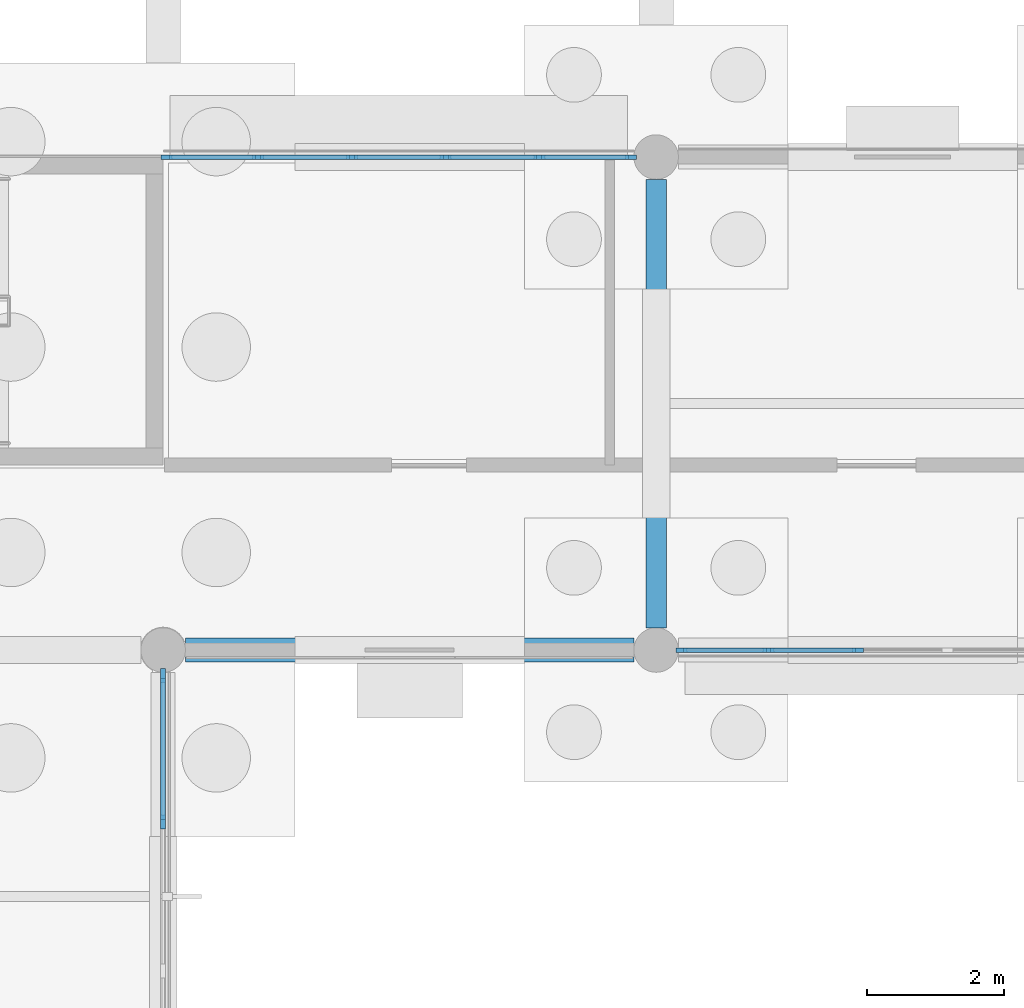
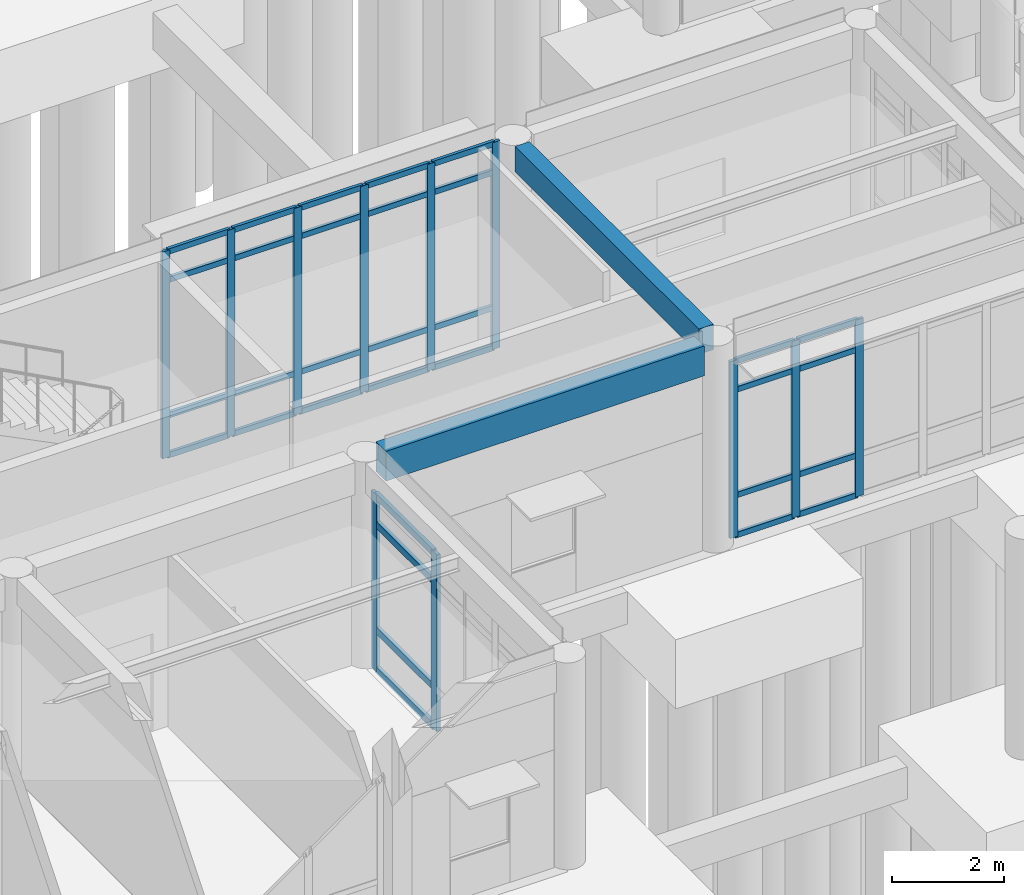
# One storey, part 22 of 103: 43 members, 2 beams, 3 elements without a shape of their own.
"""IFC4 building model written with IfcOpenShell, lengths in metres."""

from ifc_helpers import new_model, si_unit, direction, frame, origin, origin_2d, place, context, subcontext, project, spatial, rectangle, extrude, material, layer, layer_set, material_profile, profile_set, type_object, element, aggregate, save


model = new_model("IFC4")

# Units and contexts
model_context = context("Model", 3, precision=1e-05, world=origin(), true_north=direction((0.0, 1.0)))
body_context = subcontext(model_context, "Body", "Model", "MODEL_VIEW")
ifc_project = project(units=[si_unit("LENGTHUNIT", "METRE"), si_unit("AREAUNIT", "SQUARE_METRE"), si_unit("VOLUMEUNIT", "CUBIC_METRE"), si_unit("PLANEANGLEUNIT", "RADIAN"), si_unit("MASSUNIT", "GRAM", prefix="KILO")], contexts=[model_context])

# Site, building, storey
site_placement = place(None, origin())
site = spatial("IfcSite", under=ifc_project, at=site_placement, CompositionType="ELEMENT")
building_placement = place(site_placement, origin())
building = spatial("IfcBuilding", under=site, at=building_placement, Name="Namkhue Oval Health Centre", CompositionType="ELEMENT")
storey_placement = place(building_placement, origin())
storey = spatial("IfcBuildingStorey", under=building, at=storey_placement, Name="L00", CompositionType="ELEMENT", Elevation=0.0)

# Curtain wall, members
ifc_material_1 = material(Name="Anodised aluminium EN AW-6063 T6", Category="aluminium")
ifc_layer_1 = layer(ifc_material_1, 0.159912109375)
ifc_layer_set_1 = layer_set([ifc_layer_1], Name="Anodised aluminium EN AW-6063 T6")
curtain_wall_type_1 = type_object("IfcCurtainWallType", Name="UNITISED CURTAIN WALL M1200", PredefinedType="NOTDEFINED", material=ifc_layer_set_1)
curtain_wall_1_placement = place(storey_placement, origin())
curtain_wall_1 = element("IfcCurtainWall", 1, at=curtain_wall_1_placement, inside=storey, type_object=curtain_wall_type_1, Name="Volume V5 L00 Unitised Curtain Wall 181", PredefinedType="NOTDEFINED")
ifc_material_profile_1 = material_profile(ifc_material_1, rectangle(XDim=0.06494140625, YDim=0.159912109375, at=origin_2d()), Name="ALU 65x160")
ifc_profile_set_1 = profile_set([ifc_material_profile_1], Name="Anodised aluminium EN AW-6063 T6")
member_type_1 = type_object("IfcMemberType", Name="CURTAIN WALL MULLION 65X160", PredefinedType="MULLION", material=ifc_profile_set_1)
member_1_placement = place(storey_placement, frame((129.967529296875, 21.60009765625, 0.0), z_axis=(0.0, 0.0, 1.0), x_axis=(0.0, 1.0, 0.0)))
member_1 = element("IfcMember", 2, at=member_1_placement, type_object=member_type_1, Name="CW-01 mullion 1", PredefinedType="MULLION", context=body_context, shape_type="SweptSolid", body=[
    extrude(rectangle(XDim=0.06494140625, YDim=0.159912109375, at=origin_2d()), origin(), (0.0, 0.0, 1.0), 3.844970703125),
])
member_2_placement = place(storey_placement, frame((131.240966796875, 21.60009765625, 0.0), z_axis=(0.0, 0.0, 1.0), x_axis=(0.0, 1.0, 0.0)))
member_2 = element("IfcMember", 3, at=member_2_placement, type_object=member_type_1, Name="CW-01 mullion 2", PredefinedType="MULLION", context=body_context, shape_type="SweptSolid", body=[
    extrude(rectangle(XDim=0.06494140625, YDim=0.159912109375, at=origin_2d()), origin(), (0.0, 0.0, 1.0), 3.844970703125),
])
member_3_placement = place(storey_placement, frame((132.547119140625, 21.60009765625, 0.0), z_axis=(0.0, 0.0, 1.0), x_axis=(0.0, 1.0, 0.0)))
member_3 = element("IfcMember", 4, at=member_3_placement, type_object=member_type_1, Name="CW-01 mullion 3", PredefinedType="MULLION", context=body_context, shape_type="SweptSolid", body=[
    extrude(rectangle(XDim=0.06494140625, YDim=0.159912109375, at=origin_2d()), origin(), (0.0, 0.0, 1.0), 3.844970703125),
])

ifc_layer_2 = layer(ifc_material_1, 0.159912109375)
ifc_layer_set_2 = layer_set([ifc_layer_2], Name="Anodised aluminium EN AW-6063 T6")
curtain_wall_type_2 = type_object("IfcCurtainWallType", Name="UNITISED CURTAIN WALL M1500", PredefinedType="NOTDEFINED", material=ifc_layer_set_2)
curtain_wall_2_placement = place(storey_placement, origin())
curtain_wall_2 = element("IfcCurtainWall", 5, at=curtain_wall_2_placement, inside=storey, type_object=curtain_wall_type_2, Name="Volume V5 L00 Unitised Curtain Wall 183", PredefinedType="NOTDEFINED")
member_4_placement = place(storey_placement, frame((129.232421875, 28.800048828125, 0.0), z_axis=(0.0, 0.0, 1.0), x_axis=(0.0, -1.0, 0.0)))
member_4 = element("IfcMember", 6, at=member_4_placement, type_object=member_type_1, Name="CW-03 mullion 1", PredefinedType="MULLION", context=body_context, shape_type="SweptSolid", body=[
    extrude(rectangle(XDim=0.06494140625, YDim=0.159912109375, at=origin_2d()), origin(), (0.0, 0.0, 1.0), 4.4951171875),
])
member_5_placement = place(storey_placement, frame((127.8955078125, 28.800048828125, 0.0), z_axis=(0.0, 0.0, 1.0), x_axis=(0.0, -1.0, 0.0)))
member_5 = element("IfcMember", 7, at=member_5_placement, type_object=member_type_1, Name="CW-03 mullion 2", PredefinedType="MULLION", context=body_context, shape_type="SweptSolid", body=[
    extrude(rectangle(XDim=0.06494140625, YDim=0.159912109375, at=origin_2d()), origin(), (0.0, 0.0, 1.0), 4.4951171875),
])
member_6_placement = place(storey_placement, frame((126.52587890625, 28.800048828125, 0.0), z_axis=(0.0, 0.0, 1.0), x_axis=(0.0, -1.0, 0.0)))
member_6 = element("IfcMember", 8, at=member_6_placement, type_object=member_type_1, Name="CW-03 mullion 3", PredefinedType="MULLION", context=body_context, shape_type="SweptSolid", body=[
    extrude(rectangle(XDim=0.06494140625, YDim=0.159912109375, at=origin_2d()), origin(), (0.0, 0.0, 1.0), 4.4951171875),
])
member_7_placement = place(storey_placement, frame((125.15625, 28.800048828125, 0.0), z_axis=(0.0, 0.0, 1.0), x_axis=(0.0, -1.0, 0.0)))
member_7 = element("IfcMember", 9, at=member_7_placement, type_object=member_type_1, Name="CW-03 mullion 4", PredefinedType="MULLION", context=body_context, shape_type="SweptSolid", body=[
    extrude(rectangle(XDim=0.06494140625, YDim=0.159912109375, at=origin_2d()), origin(), (0.0, 0.0, 1.0), 4.4951171875),
])
member_8_placement = place(storey_placement, frame((123.78662109375, 28.800048828125, 0.0), z_axis=(0.0, 0.0, 1.0), x_axis=(0.0, -1.0, 0.0)))
member_8 = element("IfcMember", 10, at=member_8_placement, type_object=member_type_1, Name="CW-03 mullion 5", PredefinedType="MULLION", context=body_context, shape_type="SweptSolid", body=[
    extrude(rectangle(XDim=0.06494140625, YDim=0.159912109375, at=origin_2d()), origin(), (0.0, 0.0, 1.0), 4.4951171875),
])
member_9_placement = place(storey_placement, frame((122.449462890625, 28.800048828125, 0.0), z_axis=(0.0, 0.0, 1.0), x_axis=(0.0, -1.0, 0.0)))
member_9 = element("IfcMember", 11, at=member_9_placement, type_object=member_type_1, Name="CW-03 mullion 6", PredefinedType="MULLION", context=body_context, shape_type="SweptSolid", body=[
    extrude(rectangle(XDim=0.06494140625, YDim=0.159912109375, at=origin_2d()), origin(), (0.0, 0.0, 1.0), 4.4951171875),
])

ifc_layer_3 = layer(ifc_material_1, 0.159912109375)
ifc_layer_set_3 = layer_set([ifc_layer_3], Name="Anodised aluminium EN AW-6063 T6")
curtain_wall_type_3 = type_object("IfcCurtainWallType", Name="UNITISED CURTAIN WALL M2000", PredefinedType="NOTDEFINED", material=ifc_layer_set_3)
curtain_wall_3_placement = place(storey_placement, origin())
curtain_wall_3 = element("IfcCurtainWall", 12, at=curtain_wall_3_placement, inside=storey, type_object=curtain_wall_type_3, Name="Volume V5 L00 Unitised Curtain Wall 180", PredefinedType="NOTDEFINED")
ifc_material_profile_2 = material_profile(ifc_material_1, rectangle(XDim=0.074951171875, YDim=0.199951171875, at=origin_2d()), Name="ALU 75x200")
ifc_profile_set_2 = profile_set([ifc_material_profile_2], Name="Anodised aluminium EN AW-6063 T6")
member_type_2 = type_object("IfcMemberType", Name="CURTAIN WALL MULLION 75X200", PredefinedType="MULLION", material=ifc_profile_set_2)
member_10_placement = place(storey_placement, frame((122.39990234375, 19.08837890625, 0.0), z_axis=(0.0, 0.0, 1.0), x_axis=(-1.0, 0.0, 0.0)))
member_10 = element("IfcMember", 13, at=member_10_placement, type_object=member_type_2, Name="CW-06 mullion 3", PredefinedType="MULLION", context=body_context, shape_type="SweptSolid", body=[
    extrude(rectangle(XDim=0.074951171875, YDim=0.199951171875, at=origin_2d()), origin(), (0.0, 0.0, 1.0), 3.844970703125),
])
member_11_placement = place(storey_placement, frame((122.39990234375, 21.2275390625, 0.0), z_axis=(0.0, 0.0, 1.0), x_axis=(-1.0, 0.0, 0.0)))
member_11 = element("IfcMember", 14, at=member_11_placement, type_object=member_type_2, Name="CW-06 mullion 4", PredefinedType="MULLION", context=body_context, shape_type="SweptSolid", body=[
    extrude(rectangle(XDim=0.074951171875, YDim=0.199951171875, at=origin_2d()), origin(), (0.0, 0.0, 1.0), 3.844970703125),
])

# Member
ifc_material_profile_3 = material_profile(ifc_material_1, rectangle(XDim=0.06494140625, YDim=0.1201171875, at=origin_2d()), Name="ALU 65x120")
ifc_profile_set_3 = profile_set([ifc_material_profile_3], Name="Anodised aluminium EN AW-6063 T6")
member_type_3 = type_object("IfcMemberType", Name="CURTAIN WALL TRANSOM 65X120", PredefinedType="USERDEFINED", material=ifc_profile_set_3)
member_12_placement = place(storey_placement, frame((130.0, 21.60009765625, 0.032470703125), z_axis=(1.0, 0.0, 0.0), x_axis=(0.0, 1.0, 0.0)))
member_12 = element("IfcMember", 15, at=member_12_placement, type_object=member_type_3, Name="CW-01 transom 1.1", ObjectType="TRANSOM", PredefinedType="USERDEFINED", context=body_context, shape_type="SweptSolid", body=[
    extrude(rectangle(XDim=0.06494140625, YDim=0.1201171875, at=origin_2d()), origin(), (0.0, 0.0, 1.0), 1.20849609375),
])

member_13_placement = place(storey_placement, frame((130.0, 21.60009765625, 0.89990234375), z_axis=(1.0, 0.0, 0.0), x_axis=(0.0, 1.0, 0.0)))
member_13 = element("IfcMember", 16, at=member_13_placement, type_object=member_type_3, Name="CW-01 transom 1.2", ObjectType="TRANSOM", PredefinedType="USERDEFINED", context=body_context, shape_type="SweptSolid", body=[
    extrude(rectangle(XDim=0.06494140625, YDim=0.1201171875, at=origin_2d()), origin(), (0.0, 0.0, 1.0), 1.20849609375),
])

member_14_placement = place(storey_placement, frame((130.0, 21.60009765625, 3.195068359375), z_axis=(1.0, 0.0, 0.0), x_axis=(0.0, 1.0, 0.0)))
member_14 = element("IfcMember", 17, at=member_14_placement, type_object=member_type_3, Name="CW-01 transom 1.3", ObjectType="TRANSOM", PredefinedType="USERDEFINED", context=body_context, shape_type="SweptSolid", body=[
    extrude(rectangle(XDim=0.06494140625, YDim=0.1201171875, at=origin_2d()), origin(), (0.0, 0.0, 1.0), 1.20849609375),
])

member_15_placement = place(storey_placement, frame((130.0, 21.60009765625, 3.8125), z_axis=(1.0, 0.0, 0.0), x_axis=(0.0, 1.0, 0.0)))
member_15 = element("IfcMember", 18, at=member_15_placement, type_object=member_type_3, Name="CW-01 transom 1.4", ObjectType="TRANSOM", PredefinedType="USERDEFINED", context=body_context, shape_type="SweptSolid", body=[
    extrude(rectangle(XDim=0.06494140625, YDim=0.1201171875, at=origin_2d()), origin(), (0.0, 0.0, 1.0), 1.20849609375),
])

member_16_placement = place(storey_placement, frame((131.2734375, 21.60009765625, 0.032470703125), z_axis=(1.0, 0.0, 0.0), x_axis=(0.0, 1.0, 0.0)))
member_16 = element("IfcMember", 19, at=member_16_placement, type_object=member_type_3, Name="CW-01 transom 2.1", ObjectType="TRANSOM", PredefinedType="USERDEFINED", context=body_context, shape_type="SweptSolid", body=[
    extrude(rectangle(XDim=0.06494140625, YDim=0.1201171875, at=origin_2d()), origin(), (0.0, 0.0, 1.0), 1.240966796875),
])

member_17_placement = place(storey_placement, frame((131.2734375, 21.60009765625, 0.89990234375), z_axis=(1.0, 0.0, 0.0), x_axis=(0.0, 1.0, 0.0)))
member_17 = element("IfcMember", 20, at=member_17_placement, type_object=member_type_3, Name="CW-01 transom 2.2", ObjectType="TRANSOM", PredefinedType="USERDEFINED", context=body_context, shape_type="SweptSolid", body=[
    extrude(rectangle(XDim=0.06494140625, YDim=0.1201171875, at=origin_2d()), origin(), (0.0, 0.0, 1.0), 1.240966796875),
])

member_18_placement = place(storey_placement, frame((131.2734375, 21.60009765625, 3.195068359375), z_axis=(1.0, 0.0, 0.0), x_axis=(0.0, 1.0, 0.0)))
member_18 = element("IfcMember", 21, at=member_18_placement, type_object=member_type_3, Name="CW-01 transom 2.3", ObjectType="TRANSOM", PredefinedType="USERDEFINED", context=body_context, shape_type="SweptSolid", body=[
    extrude(rectangle(XDim=0.06494140625, YDim=0.1201171875, at=origin_2d()), origin(), (0.0, 0.0, 1.0), 1.240966796875),
])

member_19_placement = place(storey_placement, frame((131.2734375, 21.60009765625, 3.8125), z_axis=(1.0, 0.0, 0.0), x_axis=(0.0, 1.0, 0.0)))
member_19 = element("IfcMember", 22, at=member_19_placement, type_object=member_type_3, Name="CW-01 transom 2.4", ObjectType="TRANSOM", PredefinedType="USERDEFINED", context=body_context, shape_type="SweptSolid", body=[
    extrude(rectangle(XDim=0.06494140625, YDim=0.1201171875, at=origin_2d()), origin(), (0.0, 0.0, 1.0), 1.240966796875),
])

aggregate(curtain_wall_1, [member_1, member_2, member_3, member_12, member_13, member_14, member_15, member_16, member_17, member_18, member_19])

member_20_placement = place(storey_placement, frame((129.199951171875, 28.800048828125, 0.032470703125), z_axis=(-1.0, 0.0, 0.0), x_axis=(0.0, -1.0, 0.0)))
member_20 = element("IfcMember", 23, at=member_20_placement, type_object=member_type_3, Name="CW-03 transom 1.1", ObjectType="TRANSOM", PredefinedType="USERDEFINED", context=body_context, shape_type="SweptSolid", body=[
    extrude(rectangle(XDim=0.06494140625, YDim=0.1201171875, at=origin_2d()), origin(), (0.0, 0.0, 1.0), 1.27197265625),
])

member_21_placement = place(storey_placement, frame((129.199951171875, 28.800048828125, 0.89990234375), z_axis=(-1.0, 0.0, 0.0), x_axis=(0.0, -1.0, 0.0)))
member_21 = element("IfcMember", 24, at=member_21_placement, type_object=member_type_3, Name="CW-03 transom 1.2", ObjectType="TRANSOM", PredefinedType="USERDEFINED", context=body_context, shape_type="SweptSolid", body=[
    extrude(rectangle(XDim=0.06494140625, YDim=0.1201171875, at=origin_2d()), origin(), (0.0, 0.0, 1.0), 1.27197265625),
])

member_22_placement = place(storey_placement, frame((129.199951171875, 28.800048828125, 3.844970703125), z_axis=(-1.0, 0.0, 0.0), x_axis=(0.0, -1.0, 0.0)))
member_22 = element("IfcMember", 25, at=member_22_placement, type_object=member_type_3, Name="CW-03 transom 1.3", ObjectType="TRANSOM", PredefinedType="USERDEFINED", context=body_context, shape_type="SweptSolid", body=[
    extrude(rectangle(XDim=0.06494140625, YDim=0.1201171875, at=origin_2d()), origin(), (0.0, 0.0, 1.0), 1.27197265625),
])

member_23_placement = place(storey_placement, frame((129.199951171875, 28.800048828125, 4.46240234375), z_axis=(-1.0, 0.0, 0.0), x_axis=(0.0, -1.0, 0.0)))
member_23 = element("IfcMember", 26, at=member_23_placement, type_object=member_type_3, Name="CW-03 transom 1.4", ObjectType="TRANSOM", PredefinedType="USERDEFINED", context=body_context, shape_type="SweptSolid", body=[
    extrude(rectangle(XDim=0.06494140625, YDim=0.1201171875, at=origin_2d()), origin(), (0.0, 0.0, 1.0), 1.27197265625),
])

member_24_placement = place(storey_placement, frame((127.86279296875, 28.800048828125, 0.032470703125), z_axis=(-1.0, 0.0, 0.0), x_axis=(0.0, -1.0, 0.0)))
member_24 = element("IfcMember", 27, at=member_24_placement, type_object=member_type_3, Name="CW-03 transom 2.1", ObjectType="TRANSOM", PredefinedType="USERDEFINED", context=body_context, shape_type="SweptSolid", body=[
    extrude(rectangle(XDim=0.06494140625, YDim=0.1201171875, at=origin_2d()), origin(), (0.0, 0.0, 1.0), 1.304443359375),
])

member_25_placement = place(storey_placement, frame((127.86279296875, 28.800048828125, 0.89990234375), z_axis=(-1.0, 0.0, 0.0), x_axis=(0.0, -1.0, 0.0)))
member_25 = element("IfcMember", 28, at=member_25_placement, type_object=member_type_3, Name="CW-03 transom 2.2", ObjectType="TRANSOM", PredefinedType="USERDEFINED", context=body_context, shape_type="SweptSolid", body=[
    extrude(rectangle(XDim=0.06494140625, YDim=0.1201171875, at=origin_2d()), origin(), (0.0, 0.0, 1.0), 1.304443359375),
])

member_26_placement = place(storey_placement, frame((127.86279296875, 28.800048828125, 3.844970703125), z_axis=(-1.0, 0.0, 0.0), x_axis=(0.0, -1.0, 0.0)))
member_26 = element("IfcMember", 29, at=member_26_placement, type_object=member_type_3, Name="CW-03 transom 2.3", ObjectType="TRANSOM", PredefinedType="USERDEFINED", context=body_context, shape_type="SweptSolid", body=[
    extrude(rectangle(XDim=0.06494140625, YDim=0.1201171875, at=origin_2d()), origin(), (0.0, 0.0, 1.0), 1.304443359375),
])

member_27_placement = place(storey_placement, frame((127.86279296875, 28.800048828125, 4.46240234375), z_axis=(-1.0, 0.0, 0.0), x_axis=(0.0, -1.0, 0.0)))
member_27 = element("IfcMember", 30, at=member_27_placement, type_object=member_type_3, Name="CW-03 transom 2.4", ObjectType="TRANSOM", PredefinedType="USERDEFINED", context=body_context, shape_type="SweptSolid", body=[
    extrude(rectangle(XDim=0.06494140625, YDim=0.1201171875, at=origin_2d()), origin(), (0.0, 0.0, 1.0), 1.304443359375),
])

member_28_placement = place(storey_placement, frame((126.493408203125, 28.800048828125, 0.032470703125), z_axis=(-1.0, 0.0, 0.0), x_axis=(0.0, -1.0, 0.0)))
member_28 = element("IfcMember", 31, at=member_28_placement, type_object=member_type_3, Name="CW-03 transom 3.1", ObjectType="TRANSOM", PredefinedType="USERDEFINED", context=body_context, shape_type="SweptSolid", body=[
    extrude(rectangle(XDim=0.06494140625, YDim=0.1201171875, at=origin_2d()), origin(), (0.0, 0.0, 1.0), 1.3046875),
])

member_29_placement = place(storey_placement, frame((126.493408203125, 28.800048828125, 0.89990234375), z_axis=(-1.0, 0.0, 0.0), x_axis=(0.0, -1.0, 0.0)))
member_29 = element("IfcMember", 32, at=member_29_placement, type_object=member_type_3, Name="CW-03 transom 3.2", ObjectType="TRANSOM", PredefinedType="USERDEFINED", context=body_context, shape_type="SweptSolid", body=[
    extrude(rectangle(XDim=0.06494140625, YDim=0.1201171875, at=origin_2d()), origin(), (0.0, 0.0, 1.0), 1.3046875),
])

member_30_placement = place(storey_placement, frame((126.493408203125, 28.800048828125, 3.844970703125), z_axis=(-1.0, 0.0, 0.0), x_axis=(0.0, -1.0, 0.0)))
member_30 = element("IfcMember", 33, at=member_30_placement, type_object=member_type_3, Name="CW-03 transom 3.3", ObjectType="TRANSOM", PredefinedType="USERDEFINED", context=body_context, shape_type="SweptSolid", body=[
    extrude(rectangle(XDim=0.06494140625, YDim=0.1201171875, at=origin_2d()), origin(), (0.0, 0.0, 1.0), 1.3046875),
])

member_31_placement = place(storey_placement, frame((126.493408203125, 28.800048828125, 4.46240234375), z_axis=(-1.0, 0.0, 0.0), x_axis=(0.0, -1.0, 0.0)))
member_31 = element("IfcMember", 34, at=member_31_placement, type_object=member_type_3, Name="CW-03 transom 3.4", ObjectType="TRANSOM", PredefinedType="USERDEFINED", context=body_context, shape_type="SweptSolid", body=[
    extrude(rectangle(XDim=0.06494140625, YDim=0.1201171875, at=origin_2d()), origin(), (0.0, 0.0, 1.0), 1.3046875),
])

member_32_placement = place(storey_placement, frame((125.123779296875, 28.800048828125, 0.032470703125), z_axis=(-1.0, 0.0, 0.0), x_axis=(0.0, -1.0, 0.0)))
member_32 = element("IfcMember", 35, at=member_32_placement, type_object=member_type_3, Name="CW-03 transom 4.1", ObjectType="TRANSOM", PredefinedType="USERDEFINED", context=body_context, shape_type="SweptSolid", body=[
    extrude(rectangle(XDim=0.06494140625, YDim=0.1201171875, at=origin_2d()), origin(), (0.0, 0.0, 1.0), 1.3046875),
])

member_33_placement = place(storey_placement, frame((125.123779296875, 28.800048828125, 0.89990234375), z_axis=(-1.0, 0.0, 0.0), x_axis=(0.0, -1.0, 0.0)))
member_33 = element("IfcMember", 36, at=member_33_placement, type_object=member_type_3, Name="CW-03 transom 4.2", ObjectType="TRANSOM", PredefinedType="USERDEFINED", context=body_context, shape_type="SweptSolid", body=[
    extrude(rectangle(XDim=0.06494140625, YDim=0.1201171875, at=origin_2d()), origin(), (0.0, 0.0, 1.0), 1.3046875),
])

member_34_placement = place(storey_placement, frame((125.123779296875, 28.800048828125, 3.844970703125), z_axis=(-1.0, 0.0, 0.0), x_axis=(0.0, -1.0, 0.0)))
member_34 = element("IfcMember", 37, at=member_34_placement, type_object=member_type_3, Name="CW-03 transom 4.3", ObjectType="TRANSOM", PredefinedType="USERDEFINED", context=body_context, shape_type="SweptSolid", body=[
    extrude(rectangle(XDim=0.06494140625, YDim=0.1201171875, at=origin_2d()), origin(), (0.0, 0.0, 1.0), 1.3046875),
])

member_35_placement = place(storey_placement, frame((125.123779296875, 28.800048828125, 4.46240234375), z_axis=(-1.0, 0.0, 0.0), x_axis=(0.0, -1.0, 0.0)))
member_35 = element("IfcMember", 38, at=member_35_placement, type_object=member_type_3, Name="CW-03 transom 4.4", ObjectType="TRANSOM", PredefinedType="USERDEFINED", context=body_context, shape_type="SweptSolid", body=[
    extrude(rectangle(XDim=0.06494140625, YDim=0.1201171875, at=origin_2d()), origin(), (0.0, 0.0, 1.0), 1.3046875),
])

member_36_placement = place(storey_placement, frame((123.754150390625, 28.800048828125, 0.032470703125), z_axis=(-1.0, 0.0, 0.0), x_axis=(0.0, -1.0, 0.0)))
member_36 = element("IfcMember", 39, at=member_36_placement, type_object=member_type_3, Name="CW-03 transom 5.1", ObjectType="TRANSOM", PredefinedType="USERDEFINED", context=body_context, shape_type="SweptSolid", body=[
    extrude(rectangle(XDim=0.06494140625, YDim=0.1201171875, at=origin_2d()), origin(), (0.0, 0.0, 1.0), 1.272216796875),
])

member_37_placement = place(storey_placement, frame((123.754150390625, 28.800048828125, 0.89990234375), z_axis=(-1.0, 0.0, 0.0), x_axis=(0.0, -1.0, 0.0)))
member_37 = element("IfcMember", 40, at=member_37_placement, type_object=member_type_3, Name="CW-03 transom 5.2", ObjectType="TRANSOM", PredefinedType="USERDEFINED", context=body_context, shape_type="SweptSolid", body=[
    extrude(rectangle(XDim=0.06494140625, YDim=0.1201171875, at=origin_2d()), origin(), (0.0, 0.0, 1.0), 1.272216796875),
])

member_38_placement = place(storey_placement, frame((123.754150390625, 28.800048828125, 3.844970703125), z_axis=(-1.0, 0.0, 0.0), x_axis=(0.0, -1.0, 0.0)))
member_38 = element("IfcMember", 41, at=member_38_placement, type_object=member_type_3, Name="CW-03 transom 5.3", ObjectType="TRANSOM", PredefinedType="USERDEFINED", context=body_context, shape_type="SweptSolid", body=[
    extrude(rectangle(XDim=0.06494140625, YDim=0.1201171875, at=origin_2d()), origin(), (0.0, 0.0, 1.0), 1.272216796875),
])

member_39_placement = place(storey_placement, frame((123.754150390625, 28.800048828125, 4.46240234375), z_axis=(-1.0, 0.0, 0.0), x_axis=(0.0, -1.0, 0.0)))
member_39 = element("IfcMember", 42, at=member_39_placement, type_object=member_type_3, Name="CW-03 transom 5.4", ObjectType="TRANSOM", PredefinedType="USERDEFINED", context=body_context, shape_type="SweptSolid", body=[
    extrude(rectangle(XDim=0.06494140625, YDim=0.1201171875, at=origin_2d()), origin(), (0.0, 0.0, 1.0), 1.272216796875),
])

aggregate(curtain_wall_2, [member_4, member_5, member_6, member_7, member_8, member_9, member_20, member_21, member_22, member_23, member_24, member_25, member_26, member_27, member_28, member_29, member_30, member_31, member_32, member_33, member_34, member_35, member_36, member_37, member_38, member_39])

ifc_material_profile_4 = material_profile(ifc_material_1, rectangle(XDim=0.074951171875, YDim=0.14990234375, at=origin_2d()), Name="ALU 75x150")
ifc_profile_set_4 = profile_set([ifc_material_profile_4], Name="Anodised aluminium EN AW-6063 T6")
member_type_4 = type_object("IfcMemberType", Name="CURTAIN WALL TRANSOM 75X150", PredefinedType="USERDEFINED", material=ifc_profile_set_4)
member_40_placement = place(storey_placement, frame((122.39990234375, 19.125732421875, 0.03759765625), z_axis=(0.0, 1.0, 0.0), x_axis=(-1.0, 0.0, 0.0)))
member_40 = element("IfcMember", 43, at=member_40_placement, type_object=member_type_4, Name="CW-06 transom 3.1", ObjectType="TRANSOM", PredefinedType="USERDEFINED", context=body_context, shape_type="SweptSolid", body=[
    extrude(rectangle(XDim=0.074951171875, YDim=0.14990234375, at=origin_2d()), origin(), (0.0, 0.0, 1.0), 2.064208984375),
])

member_41_placement = place(storey_placement, frame((122.39990234375, 19.125732421875, 0.89990234375), z_axis=(0.0, 1.0, 0.0), x_axis=(-1.0, 0.0, 0.0)))
member_41 = element("IfcMember", 44, at=member_41_placement, type_object=member_type_4, Name="CW-06 transom 3.2", ObjectType="TRANSOM", PredefinedType="USERDEFINED", context=body_context, shape_type="SweptSolid", body=[
    extrude(rectangle(XDim=0.074951171875, YDim=0.14990234375, at=origin_2d()), origin(), (0.0, 0.0, 1.0), 2.064208984375),
])

member_42_placement = place(storey_placement, frame((122.39990234375, 19.125732421875, 3.195068359375), z_axis=(0.0, 1.0, 0.0), x_axis=(-1.0, 0.0, 0.0)))
member_42 = element("IfcMember", 45, at=member_42_placement, type_object=member_type_4, Name="CW-06 transom 3.3", ObjectType="TRANSOM", PredefinedType="USERDEFINED", context=body_context, shape_type="SweptSolid", body=[
    extrude(rectangle(XDim=0.074951171875, YDim=0.14990234375, at=origin_2d()), origin(), (0.0, 0.0, 1.0), 2.064208984375),
])

member_43_placement = place(storey_placement, frame((122.39990234375, 19.125732421875, 3.8076171875), z_axis=(0.0, 1.0, 0.0), x_axis=(-1.0, 0.0, 0.0)))
member_43 = element("IfcMember", 46, at=member_43_placement, type_object=member_type_4, Name="CW-06 transom 3.4", ObjectType="TRANSOM", PredefinedType="USERDEFINED", context=body_context, shape_type="SweptSolid", body=[
    extrude(rectangle(XDim=0.074951171875, YDim=0.14990234375, at=origin_2d()), origin(), (0.0, 0.0, 1.0), 2.064208984375),
])

aggregate(curtain_wall_3, [member_10, member_11, member_40, member_41, member_42, member_43])

# Beams
ifc_material_2 = material(Name="Reinforced concrete C30/37 (TCVN B35)", Category="concrete")
ifc_material_profile_5 = material_profile(ifc_material_2, rectangle(XDim=0.300048828125, YDim=0.550048828125, at=origin_2d()), Name="RC 300x550")
ifc_profile_set_5 = profile_set([ifc_material_profile_5], Name="Reinforced concrete C30/37 (TCVN B35)")
beam_type_1 = type_object("IfcBeamType", Name="FLOOR BEAM RC 300X550", PredefinedType="BEAM", material=ifc_profile_set_5)
beam_1_placement = place(storey_placement, frame((129.60009765625, 21.925048828125, 4.219970703125), z_axis=(0.0, 1.0, 0.0), x_axis=(-1.0, 0.0, 0.0)))
element("IfcBeam", 47, at=beam_1_placement, inside=storey, type_object=beam_type_1, Name="Volume V5 L01 Beam 19/D-E", PredefinedType="BEAM", context=body_context, shape_type="SweptSolid", body=[
    extrude(rectangle(XDim=0.300048828125, YDim=0.550048828125, at=origin_2d()), origin(), (0.0, 0.0, 1.0), 6.550048828125),
])
ifc_material_3 = material(Name="Reinforced concrete C35/45 (TCVN B40)", Category="concrete")
ifc_material_profile_6 = material_profile(ifc_material_3, rectangle(XDim=0.35009765625, YDim=0.64990234375, at=origin_2d()), Name="RC 350x650")
ifc_profile_set_6 = profile_set([ifc_material_profile_6], Name="Reinforced concrete C35/45 (TCVN B40)")
beam_type_2 = type_object("IfcBeamType", Name="PERIMETER SPANDREL BEAM 350X650", PredefinedType="SPANDREL", material=ifc_profile_set_6)
beam_2_placement = place(storey_placement, frame((122.72509765625, 21.60009765625, 4.169921875), z_axis=(1.0, 0.0, 0.0), x_axis=(0.0, 1.0, 0.0)))
element("IfcBeam", 48, at=beam_2_placement, inside=storey, type_object=beam_type_2, Name="Volume V5 L01 Girder D/18-19", PredefinedType="SPANDREL", context=body_context, shape_type="SweptSolid", body=[
    extrude(rectangle(XDim=0.35009765625, YDim=0.64990234375, at=origin_2d()), origin(), (0.0, 0.0, 1.0), 6.5498046875),
])

save(model, "model.ifc")
